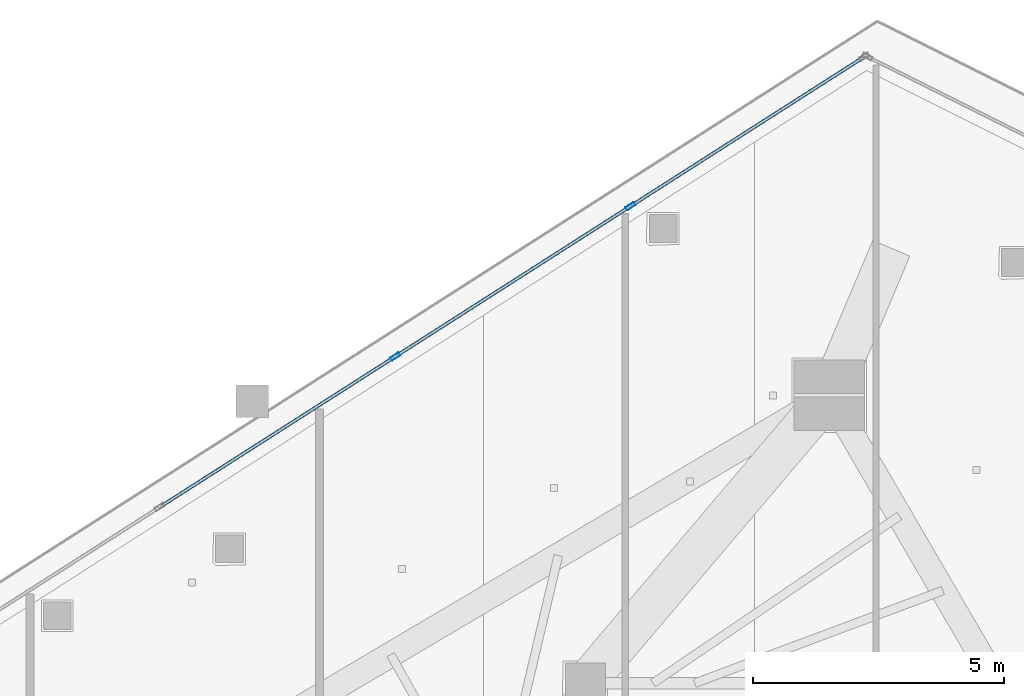
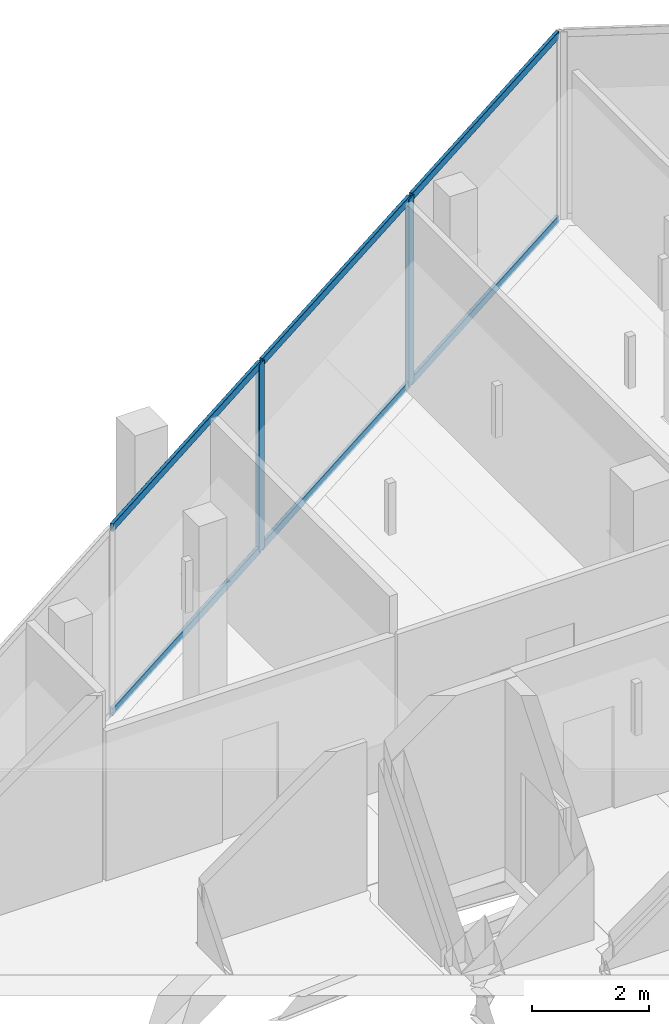
# One storey, part 15 of 29: 8 members, 1 element without a shape of its own.
"""IFC4 building model written with IfcOpenShell, lengths in metres."""

from ifc_helpers import new_model, si_unit, direction, frame, origin, origin_2d, place, context, subcontext, project, spatial, hollow_rectangle, extrude, material, layer, layer_set, material_profile, profile_set, type_object, element, aggregate, save


model = new_model("IFC4")

# Units and contexts
model_context = context("Model", 3, precision=1e-05, world=origin(), true_north=direction((0.0, 1.0)))
body_context = subcontext(model_context, "Body", "Model", "MODEL_VIEW")
ifc_project = project(units=[si_unit("LENGTHUNIT", "METRE"), si_unit("AREAUNIT", "SQUARE_METRE"), si_unit("VOLUMEUNIT", "CUBIC_METRE"), si_unit("PLANEANGLEUNIT", "RADIAN"), si_unit("MASSUNIT", "GRAM", prefix="KILO")], contexts=[model_context])

# Site, building, storey
site_placement = place(None, origin())
site = spatial("IfcSite", under=ifc_project, at=site_placement, CompositionType="ELEMENT")
building_placement = place(site_placement, origin())
building = spatial("IfcBuilding", under=site, at=building_placement, Name="Qorvath Tower", CompositionType="ELEMENT")
storey_placement = place(building_placement, frame((0.0, 0.0, 285.0)))
storey = spatial("IfcBuildingStorey", under=building, at=storey_placement, Name="L66", CompositionType="ELEMENT", Elevation=285.0)

# Curtain wall, members
ifc_material_1 = material(Name="Anodised aluminium and triple low-E glass", Category="aluminium")
ifc_layer = layer(ifc_material_1, 0.179931640625)
ifc_layer_set = layer_set([ifc_layer], Name="CW-SYS-4")
curtain_wall_type = type_object("IfcCurtainWallType", Name="CW-SYS-4", PredefinedType="NOTDEFINED", material=ifc_layer_set)
curtain_wall_placement = place(storey_placement, origin())
curtain_wall = element("IfcCurtainWall", 1, at=curtain_wall_placement, inside=storey, type_object=curtain_wall_type, Name="Curtain Wall CW-4 CW-T-L66-16.1", PredefinedType="NOTDEFINED")
ifc_material_2 = material(Name="Anodised aluminium 6063-T6", Category="aluminium")
ifc_material_profile_1 = material_profile(ifc_material_2, hollow_rectangle(XDim=0.074951171875, YDim=0.199951171875, WallThickness=0.00390625, InnerFilletRadius=0.00390625, OuterFilletRadius=0.008056640625, at=origin_2d()), Name="CWM 200x75")
ifc_profile_set_1 = profile_set([ifc_material_profile_1], Name="Anodised aluminium 6063-T6")
member_type_1 = type_object("IfcMemberType", Name="CWM-200", PredefinedType="MULLION", material=ifc_profile_set_1)
member_1_placement = place(storey_placement, frame((-22.70361328125, 20.937744140625, 0.0), z_axis=(0.0, 0.0, 1.0), x_axis=(0.538532094557, -0.842604998283, 0.0)))
member_1 = element("IfcMember", 2, at=member_1_placement, type_object=member_type_1, Name="CW-4 mullion 2", PredefinedType="MULLION", context=body_context, shape_type="SweptSolid", body=[
    extrude(hollow_rectangle(XDim=0.074951171875, YDim=0.199951171875, WallThickness=0.00390625, InnerFilletRadius=0.00390625, OuterFilletRadius=0.008056640625, at=origin_2d()), origin(), (0.0, 0.0, 1.0), 3.909912109375),
])
member_2_placement = place(storey_placement, frame((-27.383544921875, 17.946533203125, 0.0), z_axis=(0.0, 0.0, 1.0), x_axis=(0.538532094557, -0.842604998283, 0.0)))
member_2 = element("IfcMember", 3, at=member_2_placement, type_object=member_type_1, Name="CW-4 mullion 3", PredefinedType="MULLION", context=body_context, shape_type="SweptSolid", body=[
    extrude(hollow_rectangle(XDim=0.074951171875, YDim=0.199951171875, WallThickness=0.00390625, InnerFilletRadius=0.00390625, OuterFilletRadius=0.008056640625, at=origin_2d()), origin(), (0.0, 0.0, 1.0), 3.909912109375),
])
ifc_material_3 = material(Name="Anodised aluminium 6063-T6", Category="aluminium")
ifc_material_profile_2 = material_profile(ifc_material_3, hollow_rectangle(XDim=0.06494140625, YDim=0.159912109375, WallThickness=0.00341796875, InnerFilletRadius=0.00341796875, OuterFilletRadius=0.007080078125, at=origin_2d()), Name="CWT 160x65")
ifc_profile_set_2 = profile_set([ifc_material_profile_2], Name="Anodised aluminium 6063-T6")
member_type_2 = type_object("IfcMemberType", Name="CWT-160", PredefinedType="USERDEFINED", material=ifc_profile_set_2)
member_3_placement = place(storey_placement, frame((-18.0869140625, 23.888427734375, 0.032470703125), z_axis=(-0.842593905123, -0.538549450886, 0.0), x_axis=(0.538549450886, -0.842593905123, 0.0)))
member_3 = element("IfcMember", 4, at=member_3_placement, type_object=member_type_2, Name="CW-4 transom 1.1", ObjectType="TRANSOM", PredefinedType="USERDEFINED", context=body_context, shape_type="SweptSolid", body=[
    extrude(hollow_rectangle(XDim=0.06494140625, YDim=0.159912109375, WallThickness=0.00341796875, InnerFilletRadius=0.00341796875, OuterFilletRadius=0.007080078125, at=origin_2d()), origin(), (0.0, 0.0, 1.0), 5.44189453125),
])
member_4_placement = place(storey_placement, frame((-18.0869140625, 23.888427734375, 3.87744140625), z_axis=(-0.842593905123, -0.538549450886, 0.0), x_axis=(0.538549450886, -0.842593905123, 0.0)))
member_4 = element("IfcMember", 5, at=member_4_placement, type_object=member_type_2, Name="CW-4 transom 1.2", ObjectType="TRANSOM", PredefinedType="USERDEFINED", context=body_context, shape_type="SweptSolid", body=[
    extrude(hollow_rectangle(XDim=0.06494140625, YDim=0.159912109375, WallThickness=0.00341796875, InnerFilletRadius=0.00341796875, OuterFilletRadius=0.007080078125, at=origin_2d()), origin(), (0.0, 0.0, 1.0), 5.44189453125),
])
member_5_placement = place(storey_placement, frame((-22.735107421875, 20.91748046875, 0.032470703125), z_axis=(-0.842615950321, -0.538514958256, 0.0), x_axis=(0.538514958256, -0.842615950321, 0.0)))
member_5 = element("IfcMember", 6, at=member_5_placement, type_object=member_type_2, Name="CW-4 transom 2.1", ObjectType="TRANSOM", PredefinedType="USERDEFINED", context=body_context, shape_type="SweptSolid", body=[
    extrude(hollow_rectangle(XDim=0.06494140625, YDim=0.159912109375, WallThickness=0.00341796875, InnerFilletRadius=0.00341796875, OuterFilletRadius=0.007080078125, at=origin_2d()), origin(), (0.0, 0.0, 1.0), 5.479248046875),
])
member_6_placement = place(storey_placement, frame((-22.735107421875, 20.91748046875, 3.87744140625), z_axis=(-0.842615950321, -0.538514958256, 0.0), x_axis=(0.538514958256, -0.842615950321, 0.0)))
member_6 = element("IfcMember", 7, at=member_6_placement, type_object=member_type_2, Name="CW-4 transom 2.2", ObjectType="TRANSOM", PredefinedType="USERDEFINED", context=body_context, shape_type="SweptSolid", body=[
    extrude(hollow_rectangle(XDim=0.06494140625, YDim=0.159912109375, WallThickness=0.00341796875, InnerFilletRadius=0.00341796875, OuterFilletRadius=0.007080078125, at=origin_2d()), origin(), (0.0, 0.0, 1.0), 5.479248046875),
])
member_7_placement = place(storey_placement, frame((-27.4150390625, 17.92626953125, 0.032470703125), z_axis=(-0.842615950321, -0.538514958256, 0.0), x_axis=(0.538514958256, -0.842615950321, 0.0)))
member_7 = element("IfcMember", 8, at=member_7_placement, type_object=member_type_2, Name="CW-4 transom 3.1", ObjectType="TRANSOM", PredefinedType="USERDEFINED", context=body_context, shape_type="SweptSolid", body=[
    extrude(hollow_rectangle(XDim=0.06494140625, YDim=0.159912109375, WallThickness=0.00341796875, InnerFilletRadius=0.00341796875, OuterFilletRadius=0.007080078125, at=origin_2d()), origin(), (0.0, 0.0, 1.0), 5.479248046875),
])
member_8_placement = place(storey_placement, frame((-27.4150390625, 17.92626953125, 3.87744140625), z_axis=(-0.842615950321, -0.538514958256, 0.0), x_axis=(0.538514958256, -0.842615950321, 0.0)))
member_8 = element("IfcMember", 9, at=member_8_placement, type_object=member_type_2, Name="CW-4 transom 3.2", ObjectType="TRANSOM", PredefinedType="USERDEFINED", context=body_context, shape_type="SweptSolid", body=[
    extrude(hollow_rectangle(XDim=0.06494140625, YDim=0.159912109375, WallThickness=0.00341796875, InnerFilletRadius=0.00341796875, OuterFilletRadius=0.007080078125, at=origin_2d()), origin(), (0.0, 0.0, 1.0), 5.479248046875),
])
aggregate(curtain_wall, [member_1, member_2, member_3, member_4, member_5, member_6, member_7, member_8])

save(model, "model.ifc")
